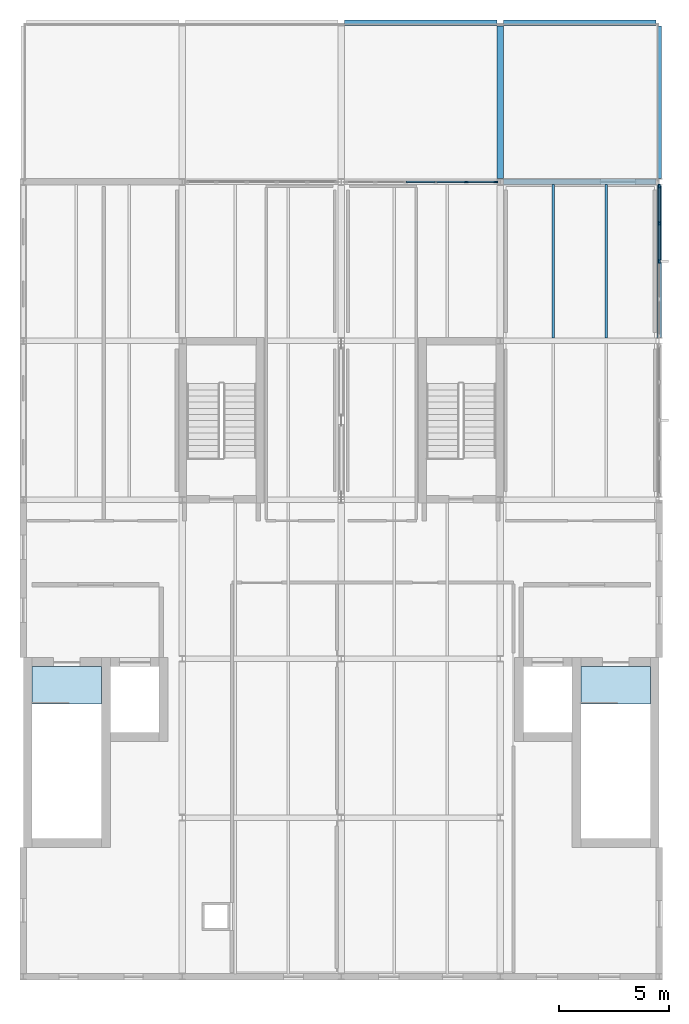
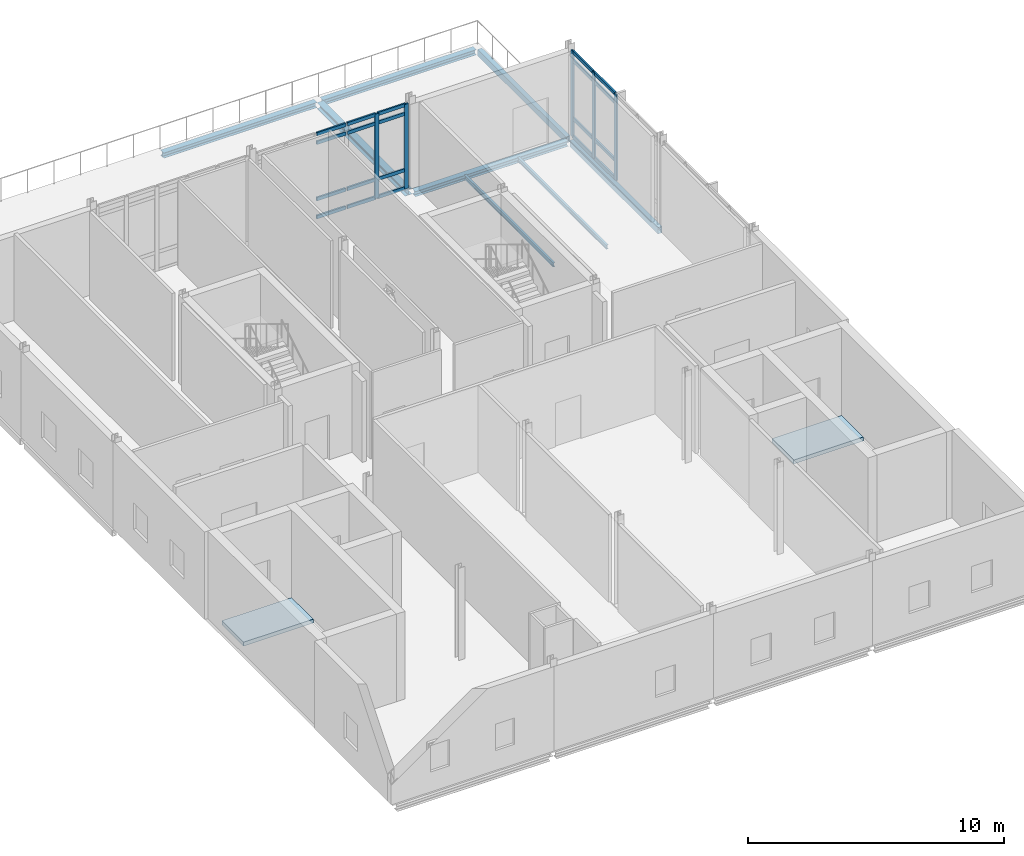
# One storey, part 5 of 12: 25 members, 8 beams, 2 slabs, 2 elements without a shape of their own.
"""IFC4 building model written with IfcOpenShell, lengths in metres."""

from ifc_helpers import new_model, si_unit, direction, frame, origin, origin_2d, place, context, subcontext, project, spatial, polyline, rectangle, hollow_rectangle, i_section, outline, extrude, material, layer, layer_set, material_profile, profile_set, type_object, element, aggregate, save


model = new_model("IFC4")

# Units and contexts
model_context = context("Model", 3, precision=1e-05, world=origin(), true_north=direction((0.0, 1.0)))
body_context = subcontext(model_context, "Body", "Model", "MODEL_VIEW")
ifc_project = project(units=[si_unit("LENGTHUNIT", "METRE"), si_unit("AREAUNIT", "SQUARE_METRE"), si_unit("VOLUMEUNIT", "CUBIC_METRE"), si_unit("PLANEANGLEUNIT", "RADIAN"), si_unit("MASSUNIT", "GRAM", prefix="KILO")], contexts=[model_context])

# Site, building, storey
site_placement = place(None, origin())
site = spatial("IfcSite", under=ifc_project, at=site_placement, CompositionType="ELEMENT")
building_placement = place(site_placement, origin())
building = spatial("IfcBuilding", under=site, at=building_placement, Name="Zarrinpeak Specialist Clinic", CompositionType="ELEMENT")
storey_placement = place(building_placement, frame((0.0, 0.0, 27.199951171875)))
storey = spatial("IfcBuildingStorey", under=building, at=storey_placement, Name="L06", CompositionType="ELEMENT", Elevation=27.199951171875)

# Beams
ifc_material_1 = material(Name="Steel S355", Category="steel")
ifc_material_profile_1 = material_profile(ifc_material_1, i_section(OverallWidth=0.260009765625, OverallDepth=0.25, WebThickness=0.007568359375, FlangeThickness=0.012451171875, FilletRadius=0.02392578125, at=origin_2d()), Name="HEA 260")
ifc_profile_set_1 = profile_set([ifc_material_profile_1], Name="Steel S355")
beam_type_1 = type_object("IfcBeamType", Name="BM-HEA260", PredefinedType="BEAM", material=ifc_profile_set_1)
beam_1_placement = place(storey_placement, frame((21.748046875, 36.0, -0.344970703125), z_axis=(1.0, 0.0, 0.0), x_axis=(0.0, 1.0, 0.0)))
element("IfcBeam", 1, at=beam_1_placement, inside=storey, type_object=beam_type_1, Name="L06 Primary Floor Girder BM-L06-X2199", PredefinedType="BEAM", context=body_context, shape_type="SweptSolid", body=[
    extrude(i_section(OverallWidth=0.260009765625, OverallDepth=0.25, WebThickness=0.007568359375, FlangeThickness=0.012451171875, FilletRadius=0.02392578125, at=origin_2d()), origin(), (0.0, 0.0, 1.0), 6.904052734375),
])
beam_2_placement = place(storey_placement, frame((14.5380859375, 43.199951171875, -0.344970703125), z_axis=(1.0, 0.0, 0.0), x_axis=(0.0, 1.0, 0.0)))
element("IfcBeam", 2, at=beam_2_placement, inside=storey, type_object=beam_type_1, Name="L06 Primary Floor Girder BM-L06-X2202", PredefinedType="BEAM", context=body_context, shape_type="SweptSolid", body=[
    extrude(i_section(OverallWidth=0.260009765625, OverallDepth=0.25, WebThickness=0.007568359375, FlangeThickness=0.012451171875, FilletRadius=0.02392578125, at=origin_2d()), origin(), (0.0, 0.0, 1.0), 6.923828125),
])
beam_3_placement = place(storey_placement, frame((21.738037109375, 43.199951171875, -0.344970703125), z_axis=(1.0, 0.0, 0.0), x_axis=(0.0, 1.0, 0.0)))
element("IfcBeam", 3, at=beam_3_placement, inside=storey, type_object=beam_type_1, Name="L06 Primary Floor Girder BM-L06-X2203", PredefinedType="BEAM", context=body_context, shape_type="SweptSolid", body=[
    extrude(i_section(OverallWidth=0.260009765625, OverallDepth=0.25, WebThickness=0.007568359375, FlangeThickness=0.012451171875, FilletRadius=0.02392578125, at=origin_2d()), origin(), (0.0, 0.0, 1.0), 6.924072265625),
])
ifc_material_profile_2 = material_profile(ifc_material_1, i_section(OverallWidth=0.300048828125, OverallDepth=0.2900390625, WebThickness=0.008544921875, FlangeThickness=0.013916015625, FilletRadius=0.027099609375, at=origin_2d()), Name="HEA 300")
ifc_profile_set_2 = profile_set([ifc_material_profile_2], Name="Steel S355")
beam_type_2 = type_object("IfcBeamType", Name="BM-HEA300", PredefinedType="BEAM", material=ifc_profile_set_2)
beam_4_placement = place(storey_placement, frame((21.60009765625, 36.157958984375, -0.364990234375), z_axis=(0.0, 1.0, 0.0), x_axis=(-1.0, 0.0, 0.0)))
element("IfcBeam", 4, at=beam_4_placement, inside=storey, type_object=beam_type_2, Name="L06 Primary Beam BM-L06-Y2224", PredefinedType="BEAM", context=body_context, shape_type="SweptSolid", body=[
    extrude(i_section(OverallWidth=0.300048828125, OverallDepth=0.2900390625, WebThickness=0.008544921875, FlangeThickness=0.013916015625, FilletRadius=0.027099609375, at=origin_2d()), origin(), (0.0, 0.0, 1.0), 6.904052734375),
])
ifc_material_profile_3 = material_profile(ifc_material_1, i_section(OverallWidth=0.10009765625, OverallDepth=0.199951171875, WebThickness=0.005615234375, FlangeThickness=0.008544921875, FilletRadius=0.011962890625, at=origin_2d()), Name="IPE 200")
ifc_profile_set_3 = profile_set([ifc_material_profile_3], Name="Steel S355")
beam_type_3 = type_object("IfcBeamType", Name="BM-JST200", PredefinedType="JOIST", material=ifc_profile_set_3)
for number, where, z_axis, x_axis, name in (
    (5, (24.0, 28.927978515625, -0.284912109375), (0.0, 1.0, 0.0), (-1.0, 0.0, 0.0), "L06 Composite Floor Joist JST-L06-2252"),
    (6, (26.39990234375, 28.927978515625, -0.284912109375), (0.0, 1.0, 0.0), (-1.0, 0.0, 0.0), "L06 Composite Floor Joist JST-L06-2253"),
):
    element("IfcBeam", number, at=place(storey_placement, frame(where, z_axis=z_axis, x_axis=x_axis)), inside=storey, type_object=beam_type_3, Name=name, PredefinedType="JOIST", context=body_context, shape_type="SweptSolid", body=[
        extrude(i_section(OverallWidth=0.10009765625, OverallDepth=0.199951171875, WebThickness=0.005615234375, FlangeThickness=0.008544921875, FilletRadius=0.011962890625, at=origin_2d()), origin(), (0.0, 0.0, 1.0), 6.944091796875),
    ])
ifc_material_profile_4 = material_profile(ifc_material_1, hollow_rectangle(XDim=0.199951171875, YDim=0.300048828125, WallThickness=0.012451171875, at=origin_2d()), Name="RHS 300x200x12.5")
ifc_profile_set_4 = profile_set([ifc_material_profile_4], Name="Steel S355")
beam_type_4 = type_object("IfcBeamType", Name="BM-SP300", PredefinedType="SPANDREL", material=ifc_profile_set_4)
beam_5_placement = place(storey_placement, frame((28.800048828125, 28.9580078125, -0.3349609375), z_axis=(0.0, 1.0, 0.0), x_axis=(-1.0, 0.0, 0.0)))
element("IfcBeam", 7, at=beam_5_placement, inside=storey, type_object=beam_type_4, Name="L06 Perimeter Spandrel Beam BM-L06-Y2226", PredefinedType="SPANDREL", context=body_context, shape_type="SweptSolid", body=[
    extrude(hollow_rectangle(XDim=0.199951171875, YDim=0.300048828125, WallThickness=0.012451171875, at=origin_2d()), origin(), (0.0, 0.0, 1.0), 6.884033203125),
])
beam_6_placement = place(storey_placement, frame((28.800048828125, 36.157958984375, -0.369873046875), z_axis=(0.0, 1.0, 0.0), x_axis=(-1.0, 0.0, 0.0)))
element("IfcBeam", 8, at=beam_6_placement, inside=storey, type_object=beam_type_4, Name="L06 Perimeter Spandrel Beam BM-L06-Y2227", PredefinedType="SPANDREL", context=body_context, shape_type="SweptSolid", body=[
    extrude(hollow_rectangle(XDim=0.199951171875, YDim=0.300048828125, WallThickness=0.012451171875, at=origin_2d()), origin(), (0.0, 0.0, 1.0), 6.904052734375),
])

# Curtain wall, members
ifc_material_2 = material(Name="Anodised Aluminium Alloy 6063-T6", Category="aluminium")
ifc_layer_1 = layer(ifc_material_2, 0.1650390625)
ifc_layer_set_1 = layer_set([ifc_layer_1], Name="Anodised Aluminium Alloy 6063-T6")
curtain_wall_type_1 = type_object("IfcCurtainWallType", Name="CW-CLINIC", PredefinedType="NOTDEFINED", material=ifc_layer_set_1)
curtain_wall_1_placement = place(storey_placement, origin())
curtain_wall_1 = element("IfcCurtainWall", 9, at=curtain_wall_1_placement, inside=storey, type_object=curtain_wall_type_1, Name="L06 V1 Unitised Curtain Wall CW-L06-V1-037", PredefinedType="NOTDEFINED")
ifc_material_profile_5 = material_profile(ifc_material_2, rectangle(XDim=0.074951171875, YDim=0.179931640625, at=origin_2d()), Name="ALU 75x180")
ifc_profile_set_5 = profile_set([ifc_material_profile_5], Name="Anodised Aluminium Alloy 6063-T6")
member_type_1 = type_object("IfcMemberType", Name="CWM-75", PredefinedType="MULLION", material=ifc_profile_set_5)
member_1_placement = place(storey_placement, frame((21.3974609375, 36.0, 0.0), z_axis=(0.0, 0.0, 1.0), x_axis=(0.0, -1.0, 0.0)))
member_1 = element("IfcMember", 10, at=member_1_placement, type_object=member_type_1, Name="CW-03 mullion 1", PredefinedType="MULLION", context=body_context, shape_type="SweptSolid", body=[
    extrude(rectangle(XDim=0.074951171875, YDim=0.179931640625, at=origin_2d()), origin(), (0.0, 0.0, 1.0), 4.03515625),
])
member_2_placement = place(storey_placement, frame((20.06103515625, 36.0, 0.0), z_axis=(0.0, 0.0, 1.0), x_axis=(0.0, -1.0, 0.0)))
member_2 = element("IfcMember", 11, at=member_2_placement, type_object=member_type_1, Name="CW-03 mullion 2", PredefinedType="MULLION", context=body_context, shape_type="SweptSolid", body=[
    extrude(rectangle(XDim=0.074951171875, YDim=0.179931640625, at=origin_2d()), origin(), (0.0, 0.0, 1.0), 4.03515625),
])

ifc_layer_2 = layer(ifc_material_2, 0.179931640625)
ifc_layer_set_2 = layer_set([ifc_layer_2], Name="Anodised Aluminium Alloy 6063-T6")
curtain_wall_type_2 = type_object("IfcCurtainWallType", Name="CW-COURT", PredefinedType="NOTDEFINED", material=ifc_layer_set_2)
curtain_wall_2_placement = place(storey_placement, origin())
curtain_wall_2 = element("IfcCurtainWall", 12, at=curtain_wall_2_placement, inside=storey, type_object=curtain_wall_type_2, Name="L06 V1 Unitised Curtain Wall CW-L06-V1-039", PredefinedType="NOTDEFINED")
member_3_placement = place(storey_placement, frame((28.800048828125, 32.39990234375, 0.0), z_axis=(0.0, 0.0, 1.0), x_axis=(-1.0, 0.0, 0.0)))
member_3 = element("IfcMember", 13, at=member_3_placement, type_object=member_type_1, Name="CW-01 mullion 3", PredefinedType="MULLION", context=body_context, shape_type="SweptSolid", body=[
    extrude(rectangle(XDim=0.074951171875, YDim=0.179931640625, at=origin_2d()), origin(), (0.0, 0.0, 1.0), 4.110107421875),
])
member_4_placement = place(storey_placement, frame((28.800048828125, 34.117431640625, 0.0), z_axis=(0.0, 0.0, 1.0), x_axis=(-1.0, 0.0, 0.0)))
member_4 = element("IfcMember", 14, at=member_4_placement, type_object=member_type_1, Name="CW-01 mullion 4", PredefinedType="MULLION", context=body_context, shape_type="SweptSolid", body=[
    extrude(rectangle(XDim=0.074951171875, YDim=0.179931640625, at=origin_2d()), origin(), (0.0, 0.0, 1.0), 4.110107421875),
])
member_5_placement = place(storey_placement, frame((28.800048828125, 35.797607421875, 0.0), z_axis=(0.0, 0.0, 1.0), x_axis=(-1.0, 0.0, 0.0)))
member_5 = element("IfcMember", 15, at=member_5_placement, type_object=member_type_1, Name="CW-01 mullion 5", PredefinedType="MULLION", context=body_context, shape_type="SweptSolid", body=[
    extrude(rectangle(XDim=0.074951171875, YDim=0.179931640625, at=origin_2d()), origin(), (0.0, 0.0, 1.0), 4.110107421875),
])

# Member
ifc_material_profile_6 = material_profile(ifc_material_2, rectangle(XDim=0.074951171875, YDim=0.159912109375, at=origin_2d()), Name="ALU 75x160")
ifc_profile_set_6 = profile_set([ifc_material_profile_6], Name="Anodised Aluminium Alloy 6063-T6")
member_type_2 = type_object("IfcMemberType", Name="CWT-75", PredefinedType="USERDEFINED", material=ifc_profile_set_6)
member_6_placement = place(storey_placement, frame((21.360107421875, 36.0, 0.03759765625), z_axis=(-1.0, 0.0, 0.0), x_axis=(0.0, -1.0, 0.0)))
member_6 = element("IfcMember", 16, at=member_6_placement, type_object=member_type_2, Name="CW-03 transom 1.1", ObjectType="TRANSOM", PredefinedType="USERDEFINED", context=body_context, shape_type="SweptSolid", body=[
    extrude(rectangle(XDim=0.074951171875, YDim=0.159912109375, at=origin_2d()), origin(), (0.0, 0.0, 1.0), 1.26171875),
])

member_7_placement = place(storey_placement, frame((21.360107421875, 36.0, 0.900146484375), z_axis=(-1.0, 0.0, 0.0), x_axis=(0.0, -1.0, 0.0)))
member_7 = element("IfcMember", 17, at=member_7_placement, type_object=member_type_2, Name="CW-03 transom 1.2", ObjectType="TRANSOM", PredefinedType="USERDEFINED", context=body_context, shape_type="SweptSolid", body=[
    extrude(rectangle(XDim=0.074951171875, YDim=0.159912109375, at=origin_2d()), origin(), (0.0, 0.0, 1.0), 1.26171875),
])

member_8_placement = place(storey_placement, frame((21.360107421875, 36.0, 3.5849609375), z_axis=(-1.0, 0.0, 0.0), x_axis=(0.0, -1.0, 0.0)))
member_8 = element("IfcMember", 18, at=member_8_placement, type_object=member_type_2, Name="CW-03 transom 1.3", ObjectType="TRANSOM", PredefinedType="USERDEFINED", context=body_context, shape_type="SweptSolid", body=[
    extrude(rectangle(XDim=0.074951171875, YDim=0.159912109375, at=origin_2d()), origin(), (0.0, 0.0, 1.0), 1.26171875),
])

member_9_placement = place(storey_placement, frame((21.360107421875, 36.0, 3.99755859375), z_axis=(-1.0, 0.0, 0.0), x_axis=(0.0, -1.0, 0.0)))
member_9 = element("IfcMember", 19, at=member_9_placement, type_object=member_type_2, Name="CW-03 transom 1.4", ObjectType="TRANSOM", PredefinedType="USERDEFINED", context=body_context, shape_type="SweptSolid", body=[
    extrude(rectangle(XDim=0.074951171875, YDim=0.159912109375, at=origin_2d()), origin(), (0.0, 0.0, 1.0), 1.26171875),
])

member_10_placement = place(storey_placement, frame((20.0234375, 36.0, 0.03759765625), z_axis=(-1.0, 0.0, 0.0), x_axis=(0.0, -1.0, 0.0)))
member_10 = element("IfcMember", 20, at=member_10_placement, type_object=member_type_2, Name="CW-03 transom 2.1", ObjectType="TRANSOM", PredefinedType="USERDEFINED", context=body_context, shape_type="SweptSolid", body=[
    extrude(rectangle(XDim=0.074951171875, YDim=0.159912109375, at=origin_2d()), origin(), (0.0, 0.0, 1.0), 1.298828125),
])

member_11_placement = place(storey_placement, frame((20.0234375, 36.0, 0.900146484375), z_axis=(-1.0, 0.0, 0.0), x_axis=(0.0, -1.0, 0.0)))
member_11 = element("IfcMember", 21, at=member_11_placement, type_object=member_type_2, Name="CW-03 transom 2.2", ObjectType="TRANSOM", PredefinedType="USERDEFINED", context=body_context, shape_type="SweptSolid", body=[
    extrude(rectangle(XDim=0.074951171875, YDim=0.159912109375, at=origin_2d()), origin(), (0.0, 0.0, 1.0), 1.298828125),
])

member_12_placement = place(storey_placement, frame((20.0234375, 36.0, 3.5849609375), z_axis=(-1.0, 0.0, 0.0), x_axis=(0.0, -1.0, 0.0)))
member_12 = element("IfcMember", 22, at=member_12_placement, type_object=member_type_2, Name="CW-03 transom 2.3", ObjectType="TRANSOM", PredefinedType="USERDEFINED", context=body_context, shape_type="SweptSolid", body=[
    extrude(rectangle(XDim=0.074951171875, YDim=0.159912109375, at=origin_2d()), origin(), (0.0, 0.0, 1.0), 1.298828125),
])

member_13_placement = place(storey_placement, frame((20.0234375, 36.0, 3.99755859375), z_axis=(-1.0, 0.0, 0.0), x_axis=(0.0, -1.0, 0.0)))
member_13 = element("IfcMember", 23, at=member_13_placement, type_object=member_type_2, Name="CW-03 transom 2.4", ObjectType="TRANSOM", PredefinedType="USERDEFINED", context=body_context, shape_type="SweptSolid", body=[
    extrude(rectangle(XDim=0.074951171875, YDim=0.159912109375, at=origin_2d()), origin(), (0.0, 0.0, 1.0), 1.298828125),
])

member_14_placement = place(storey_placement, frame((18.6494140625, 36.0, 0.03759765625), z_axis=(-1.0, 0.0, 0.0), x_axis=(0.0, -1.0, 0.0)))
member_14 = element("IfcMember", 24, at=member_14_placement, type_object=member_type_2, Name="CW-03 transom 3.1", ObjectType="TRANSOM", PredefinedType="USERDEFINED", context=body_context, shape_type="SweptSolid", body=[
    extrude(rectangle(XDim=0.074951171875, YDim=0.159912109375, at=origin_2d()), origin(), (0.0, 0.0, 1.0), 1.298828125),
])

member_15_placement = place(storey_placement, frame((18.6494140625, 36.0, 0.900146484375), z_axis=(-1.0, 0.0, 0.0), x_axis=(0.0, -1.0, 0.0)))
member_15 = element("IfcMember", 25, at=member_15_placement, type_object=member_type_2, Name="CW-03 transom 3.2", ObjectType="TRANSOM", PredefinedType="USERDEFINED", context=body_context, shape_type="SweptSolid", body=[
    extrude(rectangle(XDim=0.074951171875, YDim=0.159912109375, at=origin_2d()), origin(), (0.0, 0.0, 1.0), 1.298828125),
])

member_16_placement = place(storey_placement, frame((18.6494140625, 36.0, 3.5849609375), z_axis=(-1.0, 0.0, 0.0), x_axis=(0.0, -1.0, 0.0)))
member_16 = element("IfcMember", 26, at=member_16_placement, type_object=member_type_2, Name="CW-03 transom 3.3", ObjectType="TRANSOM", PredefinedType="USERDEFINED", context=body_context, shape_type="SweptSolid", body=[
    extrude(rectangle(XDim=0.074951171875, YDim=0.159912109375, at=origin_2d()), origin(), (0.0, 0.0, 1.0), 1.298828125),
])

member_17_placement = place(storey_placement, frame((18.6494140625, 36.0, 3.99755859375), z_axis=(-1.0, 0.0, 0.0), x_axis=(0.0, -1.0, 0.0)))
member_17 = element("IfcMember", 27, at=member_17_placement, type_object=member_type_2, Name="CW-03 transom 3.4", ObjectType="TRANSOM", PredefinedType="USERDEFINED", context=body_context, shape_type="SweptSolid", body=[
    extrude(rectangle(XDim=0.074951171875, YDim=0.159912109375, at=origin_2d()), origin(), (0.0, 0.0, 1.0), 1.298828125),
])

aggregate(curtain_wall_1, [member_1, member_2, member_6, member_7, member_8, member_9, member_10, member_11, member_12, member_13, member_14, member_15, member_16, member_17])

member_18_placement = place(storey_placement, frame((28.800048828125, 32.4375, 0.03759765625), z_axis=(0.0, 1.0, 0.0), x_axis=(-1.0, 0.0, 0.0)))
member_18 = element("IfcMember", 28, at=member_18_placement, type_object=member_type_2, Name="CW-01 transom 3.1", ObjectType="TRANSOM", PredefinedType="USERDEFINED", context=body_context, shape_type="SweptSolid", body=[
    extrude(rectangle(XDim=0.074951171875, YDim=0.159912109375, at=origin_2d()), origin(), (0.0, 0.0, 1.0), 1.642578125),
])

member_19_placement = place(storey_placement, frame((28.800048828125, 32.4375, 0.900146484375), z_axis=(0.0, 1.0, 0.0), x_axis=(-1.0, 0.0, 0.0)))
member_19 = element("IfcMember", 29, at=member_19_placement, type_object=member_type_2, Name="CW-01 transom 3.2", ObjectType="TRANSOM", PredefinedType="USERDEFINED", context=body_context, shape_type="SweptSolid", body=[
    extrude(rectangle(XDim=0.074951171875, YDim=0.159912109375, at=origin_2d()), origin(), (0.0, 0.0, 1.0), 1.642578125),
])

member_20_placement = place(storey_placement, frame((28.800048828125, 32.4375, 3.66015625), z_axis=(0.0, 1.0, 0.0), x_axis=(-1.0, 0.0, 0.0)))
member_20 = element("IfcMember", 30, at=member_20_placement, type_object=member_type_2, Name="CW-01 transom 3.3", ObjectType="TRANSOM", PredefinedType="USERDEFINED", context=body_context, shape_type="SweptSolid", body=[
    extrude(rectangle(XDim=0.074951171875, YDim=0.159912109375, at=origin_2d()), origin(), (0.0, 0.0, 1.0), 1.642578125),
])

member_21_placement = place(storey_placement, frame((28.800048828125, 32.4375, 4.072509765625), z_axis=(0.0, 1.0, 0.0), x_axis=(-1.0, 0.0, 0.0)))
member_21 = element("IfcMember", 31, at=member_21_placement, type_object=member_type_2, Name="CW-01 transom 3.4", ObjectType="TRANSOM", PredefinedType="USERDEFINED", context=body_context, shape_type="SweptSolid", body=[
    extrude(rectangle(XDim=0.074951171875, YDim=0.159912109375, at=origin_2d()), origin(), (0.0, 0.0, 1.0), 1.642578125),
])

member_22_placement = place(storey_placement, frame((28.800048828125, 34.155029296875, 0.03759765625), z_axis=(0.0, 1.0, 0.0), x_axis=(-1.0, 0.0, 0.0)))
member_22 = element("IfcMember", 32, at=member_22_placement, type_object=member_type_2, Name="CW-01 transom 4.1", ObjectType="TRANSOM", PredefinedType="USERDEFINED", context=body_context, shape_type="SweptSolid", body=[
    extrude(rectangle(XDim=0.074951171875, YDim=0.159912109375, at=origin_2d()), origin(), (0.0, 0.0, 1.0), 1.60498046875),
])

member_23_placement = place(storey_placement, frame((28.800048828125, 34.155029296875, 0.900146484375), z_axis=(0.0, 1.0, 0.0), x_axis=(-1.0, 0.0, 0.0)))
member_23 = element("IfcMember", 33, at=member_23_placement, type_object=member_type_2, Name="CW-01 transom 4.2", ObjectType="TRANSOM", PredefinedType="USERDEFINED", context=body_context, shape_type="SweptSolid", body=[
    extrude(rectangle(XDim=0.074951171875, YDim=0.159912109375, at=origin_2d()), origin(), (0.0, 0.0, 1.0), 1.60498046875),
])

member_24_placement = place(storey_placement, frame((28.800048828125, 34.155029296875, 3.66015625), z_axis=(0.0, 1.0, 0.0), x_axis=(-1.0, 0.0, 0.0)))
member_24 = element("IfcMember", 34, at=member_24_placement, type_object=member_type_2, Name="CW-01 transom 4.3", ObjectType="TRANSOM", PredefinedType="USERDEFINED", context=body_context, shape_type="SweptSolid", body=[
    extrude(rectangle(XDim=0.074951171875, YDim=0.159912109375, at=origin_2d()), origin(), (0.0, 0.0, 1.0), 1.60498046875),
])

member_25_placement = place(storey_placement, frame((28.800048828125, 34.155029296875, 4.072509765625), z_axis=(0.0, 1.0, 0.0), x_axis=(-1.0, 0.0, 0.0)))
member_25 = element("IfcMember", 35, at=member_25_placement, type_object=member_type_2, Name="CW-01 transom 4.4", ObjectType="TRANSOM", PredefinedType="USERDEFINED", context=body_context, shape_type="SweptSolid", body=[
    extrude(rectangle(XDim=0.074951171875, YDim=0.159912109375, at=origin_2d()), origin(), (0.0, 0.0, 1.0), 1.60498046875),
])

aggregate(curtain_wall_2, [member_3, member_4, member_5, member_18, member_19, member_20, member_21, member_22, member_23, member_24, member_25])

# Slabs
ifc_material_3 = material(Name="Concrete C35/45", Category="concrete")
ifc_layer_3 = layer(ifc_material_3, 0.18505859375)
ifc_layer_set_3 = layer_set([ifc_layer_3], Name="Concrete C35/45")
slab_type = type_object("IfcSlabType", Name="SL-FLR185", PredefinedType="FLOOR", material=ifc_layer_set_3)
slab_1_placement = place(storey_placement, frame((0.0, 0.0, -0.18505859375)))
element("IfcSlab", 36, at=slab_1_placement, inside=storey, type_object=slab_type, Name="L06 Core C01 Stairwell Floor Landing Slab", PredefinedType="FLOOR", context=body_context, shape_type="SweptSolid", body=[
    extrude(outline(polyline([(0.39990234375, 12.35009765625), (3.550048828125, 12.35009765625), (3.550048828125, 14.050048828125), (0.39990234375, 14.050048828125), (0.39990234375, 12.35009765625)])), origin(), (0.0, 0.0, 1.0), 0.18505859375),
])
slab_2_placement = place(storey_placement, frame((0.0, 0.0, -0.18505859375)))
element("IfcSlab", 37, at=slab_2_placement, inside=storey, type_object=slab_type, Name="L06 Core C02 Stairwell Floor Landing Slab", PredefinedType="FLOOR", context=body_context, shape_type="SweptSolid", body=[
    extrude(outline(polyline([(25.25, 12.35009765625), (28.39990234375, 12.35009765625), (28.39990234375, 14.050048828125), (25.25, 14.050048828125), (25.25, 12.35009765625)])), origin(), (0.0, 0.0, 1.0), 0.18505859375),
])

save(model, "model.ifc")
